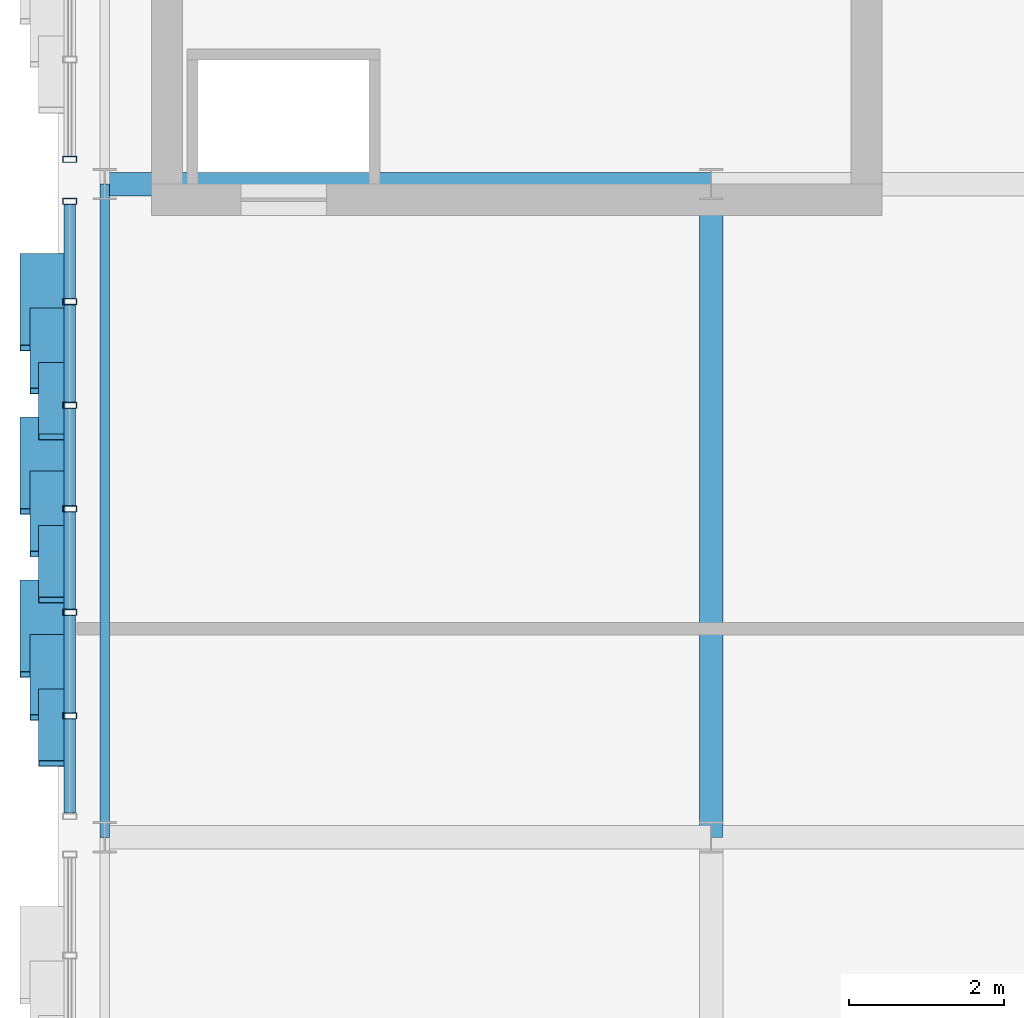
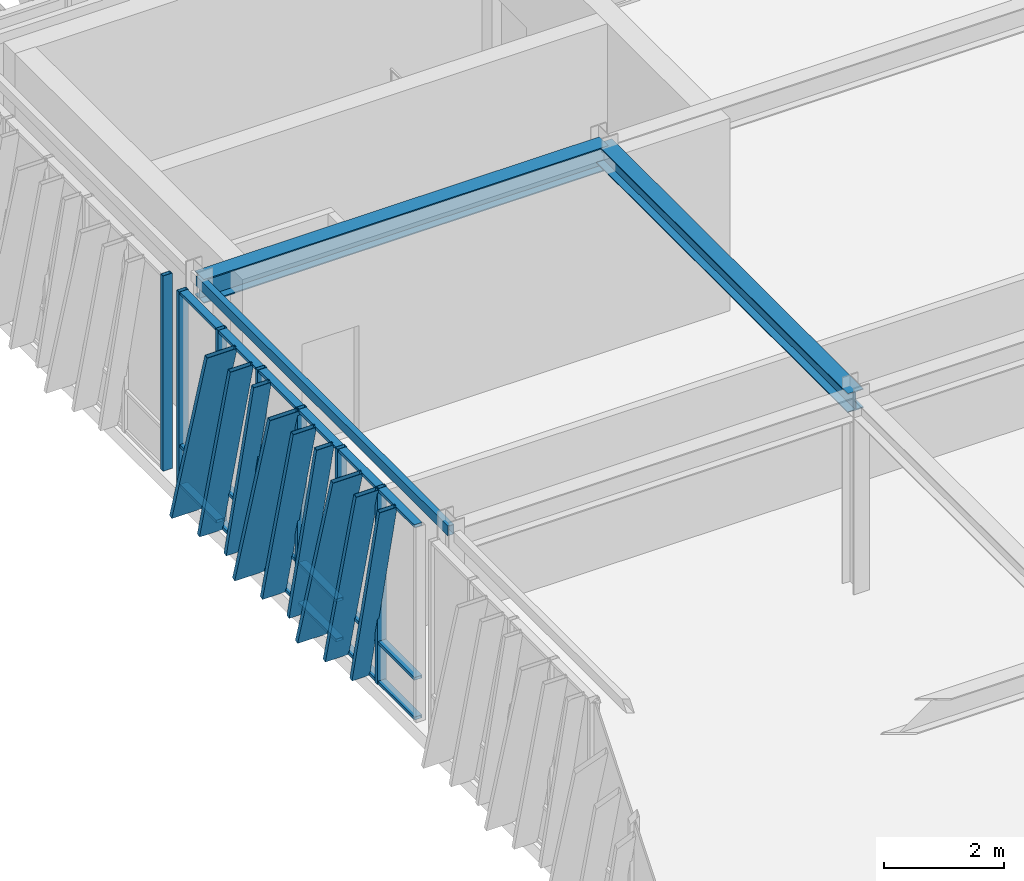
# One storey, part 40 of 123: 34 members, 3 beams, 2 elements without a shape of their own.
"""IFC4 building model written with IfcOpenShell, lengths in metres."""

from ifc_helpers import new_model, si_unit, direction, frame, origin, origin_2d, place, context, subcontext, project, spatial, hollow_rectangle, i_section, extrude, material, layer, layer_set, material_profile, profile_set, type_object, element, aggregate, save


model = new_model("IFC4")

# Units and contexts
model_context = context("Model", 3, precision=1e-05, world=origin(), true_north=direction((0.0, 1.0)))
body_context = subcontext(model_context, "Body", "Model", "MODEL_VIEW")
ifc_project = project(units=[si_unit("LENGTHUNIT", "METRE"), si_unit("AREAUNIT", "SQUARE_METRE"), si_unit("VOLUMEUNIT", "CUBIC_METRE"), si_unit("PLANEANGLEUNIT", "RADIAN"), si_unit("MASSUNIT", "GRAM", prefix="KILO")], contexts=[model_context])

# Site, building, storey
site_placement = place(None, origin())
site = spatial("IfcSite", under=ifc_project, at=site_placement, CompositionType="ELEMENT")
building_placement = place(site_placement, origin())
building = spatial("IfcBuilding", under=site, at=building_placement, Name="Zayran Congress Hotel", CompositionType="ELEMENT")
storey_placement = place(building_placement, frame((0.0, 0.0, 15.0)))
storey = spatial("IfcBuildingStorey", under=building, at=storey_placement, Name="L03", CompositionType="ELEMENT", Elevation=15.0)

# Beams
ifc_material_1 = material(Name="Steel S355", Category="steel")
ifc_material_profile_1 = material_profile(ifc_material_1, i_section(OverallWidth=0.300048828125, OverallDepth=0.489990234375, WebThickness=0.011962890625, FlangeThickness=0.02294921875, at=origin_2d()), Name="HEA 500")
ifc_profile_set_1 = profile_set([ifc_material_profile_1], Name="Steel S355")
beam_type_1 = type_object("IfcBeamType", Name="TP-BM-05", PredefinedType="BEAM", material=ifc_profile_set_1)
beam_1_placement = place(storey_placement, frame((9.0, 109.60009765625, 3.735107421875), z_axis=(1.0, 0.0, 0.0), x_axis=(0.0, 1.0, 0.0)))
element("IfcBeam", 1, at=beam_1_placement, inside=storey, type_object=beam_type_1, Name="BM-V1-L03-0829", PredefinedType="BEAM", context=body_context, shape_type="SweptSolid", body=[
    extrude(i_section(OverallWidth=0.300048828125, OverallDepth=0.489990234375, WebThickness=0.011962890625, FlangeThickness=0.02294921875, at=origin_2d()), origin(), (0.0, 0.0, 1.0), 7.800048828125),
])
ifc_material_profile_2 = material_profile(ifc_material_1, i_section(OverallWidth=0.300048828125, OverallDepth=0.389892578125, WebThickness=0.010986328125, FlangeThickness=0.01904296875, at=origin_2d()), Name="HEA 400")
ifc_profile_set_2 = profile_set([ifc_material_profile_2], Name="Steel S355")
beam_type_2 = type_object("IfcBeamType", Name="TP-BM-06", PredefinedType="BEAM", material=ifc_profile_set_2)
beam_2_placement = place(storey_placement, frame((16.800048828125, 101.199951171875, 3.784912109375), z_axis=(0.0, 1.0, 0.0), x_axis=(-1.0, 0.0, 0.0)))
element("IfcBeam", 2, at=beam_2_placement, inside=storey, type_object=beam_type_2, Name="BM-V1-L03-0858", PredefinedType="BEAM", context=body_context, shape_type="SweptSolid", body=[
    extrude(i_section(OverallWidth=0.300048828125, OverallDepth=0.389892578125, WebThickness=0.010986328125, FlangeThickness=0.01904296875, at=origin_2d()), origin(), (0.0, 0.0, 1.0), 8.400146484375),
])
ifc_material_profile_3 = material_profile(ifc_material_1, hollow_rectangle(XDim=0.1201171875, YDim=0.199951171875, WallThickness=0.008056640625, at=origin_2d()), Name="RHS 200x120x8")
ifc_profile_set_3 = profile_set([ifc_material_profile_3], Name="Steel S355")
beam_type_3 = type_object("IfcBeamType", Name="TP-SP-02", PredefinedType="SPANDREL", material=ifc_profile_set_3)
beam_3_placement = place(storey_placement, frame((9.0, 101.199951171875, 3.8798828125), z_axis=(0.0, 1.0, 0.0), x_axis=(-1.0, 0.0, 0.0)))
element("IfcBeam", 3, at=beam_3_placement, inside=storey, type_object=beam_type_3, Name="BM-V1-L03-0853", PredefinedType="SPANDREL", context=body_context, shape_type="SweptSolid", body=[
    extrude(hollow_rectangle(XDim=0.1201171875, YDim=0.199951171875, WallThickness=0.008056640625, at=origin_2d()), origin(), (0.0, 0.0, 1.0), 8.400146484375),
])

# Curtain wall, members
ifc_material_2 = material(Name="Anodised aluminium and low-E insulated glass", Category="aluminium")
ifc_layer_1 = layer(ifc_material_2, 0.179931640625)
ifc_layer_set_1 = layer_set([ifc_layer_1], Name="Anodised aluminium and low-E insulated glass")
curtain_wall_type_1 = type_object("IfcCurtainWallType", Name="CW-V1W-L03-CW-31-7990-3980", PredefinedType="USERDEFINED", material=ifc_layer_set_1)
curtain_wall_1_placement = place(storey_placement, origin())
curtain_wall_1 = element("IfcCurtainWall", 4, at=curtain_wall_1_placement, inside=storey, type_object=curtain_wall_type_1, Name="CW-V1W-L03-4", ObjectType="CURTAIN WALL", PredefinedType="USERDEFINED")
ifc_material_3 = material(Name="Anodised aluminium framing", Category="aluminium")
ifc_material_profile_4 = material_profile(ifc_material_3, hollow_rectangle(XDim=0.080078125, YDim=0.179931640625, WallThickness=0.0048828125, at=origin_2d()), Name="RHS 180x80x5")
ifc_profile_set_4 = profile_set([ifc_material_profile_4], Name="Anodised aluminium framing")
member_type_1 = type_object("IfcMemberType", Name="TP-CWM-01", PredefinedType="MULLION", material=ifc_profile_set_4)
member_1_placement = place(storey_placement, frame((8.550048828125, 109.3798828125, 0.0), z_axis=(0.0, 0.0, 1.0), x_axis=(0.0, 1.0, 0.0)))
member_1 = element("IfcMember", 5, at=member_1_placement, type_object=member_type_1, Name="CW-V1W-L03-4-M00", PredefinedType="MULLION", context=body_context, shape_type="SweptSolid", body=[
    extrude(hollow_rectangle(XDim=0.080078125, YDim=0.179931640625, WallThickness=0.0048828125, at=origin_2d()), origin(), (0.0, 0.0, 1.0), 3.97998046875),
])
member_2_placement = place(storey_placement, frame((8.550048828125, 108.08837890625, 0.0), z_axis=(0.0, 0.0, 1.0), x_axis=(0.0, 1.0, 0.0)))
member_2 = element("IfcMember", 6, at=member_2_placement, type_object=member_type_1, Name="CW-V1W-L03-4-M01", PredefinedType="MULLION", context=body_context, shape_type="SweptSolid", body=[
    extrude(hollow_rectangle(XDim=0.080078125, YDim=0.179931640625, WallThickness=0.0048828125, at=origin_2d()), origin(), (0.0, 0.0, 1.0), 3.97998046875),
])
member_3_placement = place(storey_placement, frame((8.550048828125, 106.756591796875, 0.0), z_axis=(0.0, 0.0, 1.0), x_axis=(0.0, 1.0, 0.0)))
member_3 = element("IfcMember", 7, at=member_3_placement, type_object=member_type_1, Name="CW-V1W-L03-4-M02", PredefinedType="MULLION", context=body_context, shape_type="SweptSolid", body=[
    extrude(hollow_rectangle(XDim=0.080078125, YDim=0.179931640625, WallThickness=0.0048828125, at=origin_2d()), origin(), (0.0, 0.0, 1.0), 3.97998046875),
])
member_4_placement = place(storey_placement, frame((8.550048828125, 105.425048828125, 0.0), z_axis=(0.0, 0.0, 1.0), x_axis=(0.0, 1.0, 0.0)))
member_4 = element("IfcMember", 8, at=member_4_placement, type_object=member_type_1, Name="CW-V1W-L03-4-M03", PredefinedType="MULLION", context=body_context, shape_type="SweptSolid", body=[
    extrude(hollow_rectangle(XDim=0.080078125, YDim=0.179931640625, WallThickness=0.0048828125, at=origin_2d()), origin(), (0.0, 0.0, 1.0), 3.97998046875),
])
member_5_placement = place(storey_placement, frame((8.550048828125, 104.09326171875, 0.0), z_axis=(0.0, 0.0, 1.0), x_axis=(0.0, 1.0, 0.0)))
member_5 = element("IfcMember", 9, at=member_5_placement, type_object=member_type_1, Name="CW-V1W-L03-4-M04", PredefinedType="MULLION", context=body_context, shape_type="SweptSolid", body=[
    extrude(hollow_rectangle(XDim=0.080078125, YDim=0.179931640625, WallThickness=0.0048828125, at=origin_2d()), origin(), (0.0, 0.0, 1.0), 3.97998046875),
])
member_6_placement = place(storey_placement, frame((8.550048828125, 102.76171875, 0.0), z_axis=(0.0, 0.0, 1.0), x_axis=(0.0, 1.0, 0.0)))
member_6 = element("IfcMember", 10, at=member_6_placement, type_object=member_type_1, Name="CW-V1W-L03-4-M05", PredefinedType="MULLION", context=body_context, shape_type="SweptSolid", body=[
    extrude(hollow_rectangle(XDim=0.080078125, YDim=0.179931640625, WallThickness=0.0048828125, at=origin_2d()), origin(), (0.0, 0.0, 1.0), 3.97998046875),
])

# Curtain wall, member
ifc_layer_2 = layer(ifc_material_2, 0.179931640625)
ifc_layer_set_2 = layer_set([ifc_layer_2], Name="Anodised aluminium and low-E insulated glass")
curtain_wall_type_2 = type_object("IfcCurtainWallType", Name="CW-V1W-L03-CW-32-7940-3980", PredefinedType="USERDEFINED", material=ifc_layer_set_2)
curtain_wall_2_placement = place(storey_placement, origin())
curtain_wall_2 = element("IfcCurtainWall", 11, at=curtain_wall_2_placement, inside=storey, type_object=curtain_wall_type_2, Name="CW-V1W-L03-5", ObjectType="CURTAIN WALL", PredefinedType="USERDEFINED")
member_7_placement = place(storey_placement, frame((8.550048828125, 109.919921875, 0.0), z_axis=(0.0, 0.0, 1.0), x_axis=(0.0, 1.0, 0.0)))
member_7 = element("IfcMember", 12, at=member_7_placement, type_object=member_type_1, Name="CW-V1W-L03-5-M06", PredefinedType="MULLION", context=body_context, shape_type="SweptSolid", body=[
    extrude(hollow_rectangle(XDim=0.080078125, YDim=0.179931640625, WallThickness=0.0048828125, at=origin_2d()), origin(), (0.0, 0.0, 1.0), 3.97998046875),
])
aggregate(curtain_wall_2, [member_7])

# Member
ifc_material_profile_5 = material_profile(ifc_material_3, hollow_rectangle(XDim=0.06005859375, YDim=0.14990234375, WallThickness=0.00390625, at=origin_2d()), Name="RHS 150x60x4")
ifc_profile_set_5 = profile_set([ifc_material_profile_5], Name="Anodised aluminium framing")
member_type_2 = type_object("IfcMemberType", Name="TP-CWT-01", PredefinedType="USERDEFINED", material=ifc_profile_set_5)
member_8_placement = place(storey_placement, frame((8.550048828125, 109.340087890625, 0.030029296875), z_axis=(0.0, -1.0, 0.0), x_axis=(0.0, 0.0, 1.0)))
member_8 = element("IfcMember", 13, at=member_8_placement, type_object=member_type_2, Name="CW-V1W-L03-4-T00-0", ObjectType="TRANSOM", PredefinedType="USERDEFINED", context=body_context, shape_type="SweptSolid", body=[
    extrude(hollow_rectangle(XDim=0.06005859375, YDim=0.14990234375, WallThickness=0.00390625, at=origin_2d()), origin(), (0.0, 0.0, 1.0), 1.211669921875),
])

member_9_placement = place(storey_placement, frame((8.550048828125, 109.340087890625, 0.840087890625), z_axis=(0.0, -1.0, 0.0), x_axis=(0.0, 0.0, 1.0)))
member_9 = element("IfcMember", 14, at=member_9_placement, type_object=member_type_2, Name="CW-V1W-L03-4-T00-1", ObjectType="TRANSOM", PredefinedType="USERDEFINED", context=body_context, shape_type="SweptSolid", body=[
    extrude(hollow_rectangle(XDim=0.06005859375, YDim=0.14990234375, WallThickness=0.00390625, at=origin_2d()), origin(), (0.0, 0.0, 1.0), 1.211669921875),
])

member_10_placement = place(storey_placement, frame((8.550048828125, 109.340087890625, 3.949951171875), z_axis=(0.0, -1.0, 0.0), x_axis=(0.0, 0.0, 1.0)))
member_10 = element("IfcMember", 15, at=member_10_placement, type_object=member_type_2, Name="CW-V1W-L03-4-T00-2", ObjectType="TRANSOM", PredefinedType="USERDEFINED", context=body_context, shape_type="SweptSolid", body=[
    extrude(hollow_rectangle(XDim=0.06005859375, YDim=0.14990234375, WallThickness=0.00390625, at=origin_2d()), origin(), (0.0, 0.0, 1.0), 1.211669921875),
])

member_11_placement = place(storey_placement, frame((8.550048828125, 108.04833984375, 0.030029296875), z_axis=(0.0, -1.0, 0.0), x_axis=(0.0, 0.0, 1.0)))
member_11 = element("IfcMember", 16, at=member_11_placement, type_object=member_type_2, Name="CW-V1W-L03-4-T01-0", ObjectType="TRANSOM", PredefinedType="USERDEFINED", context=body_context, shape_type="SweptSolid", body=[
    extrude(hollow_rectangle(XDim=0.06005859375, YDim=0.14990234375, WallThickness=0.00390625, at=origin_2d()), origin(), (0.0, 0.0, 1.0), 1.251708984375),
])

member_12_placement = place(storey_placement, frame((8.550048828125, 108.04833984375, 0.840087890625), z_axis=(0.0, -1.0, 0.0), x_axis=(0.0, 0.0, 1.0)))
member_12 = element("IfcMember", 17, at=member_12_placement, type_object=member_type_2, Name="CW-V1W-L03-4-T01-1", ObjectType="TRANSOM", PredefinedType="USERDEFINED", context=body_context, shape_type="SweptSolid", body=[
    extrude(hollow_rectangle(XDim=0.06005859375, YDim=0.14990234375, WallThickness=0.00390625, at=origin_2d()), origin(), (0.0, 0.0, 1.0), 1.251708984375),
])

member_13_placement = place(storey_placement, frame((8.550048828125, 108.04833984375, 3.949951171875), z_axis=(0.0, -1.0, 0.0), x_axis=(0.0, 0.0, 1.0)))
member_13 = element("IfcMember", 18, at=member_13_placement, type_object=member_type_2, Name="CW-V1W-L03-4-T01-2", ObjectType="TRANSOM", PredefinedType="USERDEFINED", context=body_context, shape_type="SweptSolid", body=[
    extrude(hollow_rectangle(XDim=0.06005859375, YDim=0.14990234375, WallThickness=0.00390625, at=origin_2d()), origin(), (0.0, 0.0, 1.0), 1.251708984375),
])

member_14_placement = place(storey_placement, frame((8.550048828125, 106.716796875, 0.030029296875), z_axis=(0.0, -1.0, 0.0), x_axis=(0.0, 0.0, 1.0)))
member_14 = element("IfcMember", 19, at=member_14_placement, type_object=member_type_2, Name="CW-V1W-L03-4-T02-0", ObjectType="TRANSOM", PredefinedType="USERDEFINED", context=body_context, shape_type="SweptSolid", body=[
    extrude(hollow_rectangle(XDim=0.06005859375, YDim=0.14990234375, WallThickness=0.00390625, at=origin_2d()), origin(), (0.0, 0.0, 1.0), 1.251708984375),
])

member_15_placement = place(storey_placement, frame((8.550048828125, 106.716796875, 0.840087890625), z_axis=(0.0, -1.0, 0.0), x_axis=(0.0, 0.0, 1.0)))
member_15 = element("IfcMember", 20, at=member_15_placement, type_object=member_type_2, Name="CW-V1W-L03-4-T02-1", ObjectType="TRANSOM", PredefinedType="USERDEFINED", context=body_context, shape_type="SweptSolid", body=[
    extrude(hollow_rectangle(XDim=0.06005859375, YDim=0.14990234375, WallThickness=0.00390625, at=origin_2d()), origin(), (0.0, 0.0, 1.0), 1.251708984375),
])

member_16_placement = place(storey_placement, frame((8.550048828125, 106.716796875, 3.949951171875), z_axis=(0.0, -1.0, 0.0), x_axis=(0.0, 0.0, 1.0)))
member_16 = element("IfcMember", 21, at=member_16_placement, type_object=member_type_2, Name="CW-V1W-L03-4-T02-2", ObjectType="TRANSOM", PredefinedType="USERDEFINED", context=body_context, shape_type="SweptSolid", body=[
    extrude(hollow_rectangle(XDim=0.06005859375, YDim=0.14990234375, WallThickness=0.00390625, at=origin_2d()), origin(), (0.0, 0.0, 1.0), 1.251708984375),
])

member_17_placement = place(storey_placement, frame((8.550048828125, 105.385009765625, 0.030029296875), z_axis=(0.0, -1.0, 0.0), x_axis=(0.0, 0.0, 1.0)))
member_17 = element("IfcMember", 22, at=member_17_placement, type_object=member_type_2, Name="CW-V1W-L03-4-T03-0", ObjectType="TRANSOM", PredefinedType="USERDEFINED", context=body_context, shape_type="SweptSolid", body=[
    extrude(hollow_rectangle(XDim=0.06005859375, YDim=0.14990234375, WallThickness=0.00390625, at=origin_2d()), origin(), (0.0, 0.0, 1.0), 1.251708984375),
])

member_18_placement = place(storey_placement, frame((8.550048828125, 105.385009765625, 0.840087890625), z_axis=(0.0, -1.0, 0.0), x_axis=(0.0, 0.0, 1.0)))
member_18 = element("IfcMember", 23, at=member_18_placement, type_object=member_type_2, Name="CW-V1W-L03-4-T03-1", ObjectType="TRANSOM", PredefinedType="USERDEFINED", context=body_context, shape_type="SweptSolid", body=[
    extrude(hollow_rectangle(XDim=0.06005859375, YDim=0.14990234375, WallThickness=0.00390625, at=origin_2d()), origin(), (0.0, 0.0, 1.0), 1.251708984375),
])

member_19_placement = place(storey_placement, frame((8.550048828125, 105.385009765625, 3.949951171875), z_axis=(0.0, -1.0, 0.0), x_axis=(0.0, 0.0, 1.0)))
member_19 = element("IfcMember", 24, at=member_19_placement, type_object=member_type_2, Name="CW-V1W-L03-4-T03-2", ObjectType="TRANSOM", PredefinedType="USERDEFINED", context=body_context, shape_type="SweptSolid", body=[
    extrude(hollow_rectangle(XDim=0.06005859375, YDim=0.14990234375, WallThickness=0.00390625, at=origin_2d()), origin(), (0.0, 0.0, 1.0), 1.251708984375),
])

member_20_placement = place(storey_placement, frame((8.550048828125, 104.05322265625, 0.030029296875), z_axis=(0.0, -1.0, 0.0), x_axis=(0.0, 0.0, 1.0)))
member_20 = element("IfcMember", 25, at=member_20_placement, type_object=member_type_2, Name="CW-V1W-L03-4-T04-0", ObjectType="TRANSOM", PredefinedType="USERDEFINED", context=body_context, shape_type="SweptSolid", body=[
    extrude(hollow_rectangle(XDim=0.06005859375, YDim=0.14990234375, WallThickness=0.00390625, at=origin_2d()), origin(), (0.0, 0.0, 1.0), 1.25146484375),
])

member_21_placement = place(storey_placement, frame((8.550048828125, 104.05322265625, 0.840087890625), z_axis=(0.0, -1.0, 0.0), x_axis=(0.0, 0.0, 1.0)))
member_21 = element("IfcMember", 26, at=member_21_placement, type_object=member_type_2, Name="CW-V1W-L03-4-T04-1", ObjectType="TRANSOM", PredefinedType="USERDEFINED", context=body_context, shape_type="SweptSolid", body=[
    extrude(hollow_rectangle(XDim=0.06005859375, YDim=0.14990234375, WallThickness=0.00390625, at=origin_2d()), origin(), (0.0, 0.0, 1.0), 1.25146484375),
])

member_22_placement = place(storey_placement, frame((8.550048828125, 104.05322265625, 3.949951171875), z_axis=(0.0, -1.0, 0.0), x_axis=(0.0, 0.0, 1.0)))
member_22 = element("IfcMember", 27, at=member_22_placement, type_object=member_type_2, Name="CW-V1W-L03-4-T04-2", ObjectType="TRANSOM", PredefinedType="USERDEFINED", context=body_context, shape_type="SweptSolid", body=[
    extrude(hollow_rectangle(XDim=0.06005859375, YDim=0.14990234375, WallThickness=0.00390625, at=origin_2d()), origin(), (0.0, 0.0, 1.0), 1.25146484375),
])

member_23_placement = place(storey_placement, frame((8.550048828125, 102.7216796875, 0.030029296875), z_axis=(0.0, -1.0, 0.0), x_axis=(0.0, 0.0, 1.0)))
member_23 = element("IfcMember", 28, at=member_23_placement, type_object=member_type_2, Name="CW-V1W-L03-4-T05-0", ObjectType="TRANSOM", PredefinedType="USERDEFINED", context=body_context, shape_type="SweptSolid", body=[
    extrude(hollow_rectangle(XDim=0.06005859375, YDim=0.14990234375, WallThickness=0.00390625, at=origin_2d()), origin(), (0.0, 0.0, 1.0), 1.211669921875),
])

member_24_placement = place(storey_placement, frame((8.550048828125, 102.7216796875, 0.840087890625), z_axis=(0.0, -1.0, 0.0), x_axis=(0.0, 0.0, 1.0)))
member_24 = element("IfcMember", 29, at=member_24_placement, type_object=member_type_2, Name="CW-V1W-L03-4-T05-1", ObjectType="TRANSOM", PredefinedType="USERDEFINED", context=body_context, shape_type="SweptSolid", body=[
    extrude(hollow_rectangle(XDim=0.06005859375, YDim=0.14990234375, WallThickness=0.00390625, at=origin_2d()), origin(), (0.0, 0.0, 1.0), 1.211669921875),
])

member_25_placement = place(storey_placement, frame((8.550048828125, 102.7216796875, 3.949951171875), z_axis=(0.0, -1.0, 0.0), x_axis=(0.0, 0.0, 1.0)))
member_25 = element("IfcMember", 30, at=member_25_placement, type_object=member_type_2, Name="CW-V1W-L03-4-T05-2", ObjectType="TRANSOM", PredefinedType="USERDEFINED", context=body_context, shape_type="SweptSolid", body=[
    extrude(hollow_rectangle(XDim=0.06005859375, YDim=0.14990234375, WallThickness=0.00390625, at=origin_2d()), origin(), (0.0, 0.0, 1.0), 1.211669921875),
])

ifc_material_4 = material(Name="Warm bronze anodised aluminium", Category="aluminium")
ifc_material_profile_6 = material_profile(ifc_material_4, hollow_rectangle(XDim=0.080078125, YDim=0.580078125, WallThickness=0.006103515625, at=origin_2d()), Name="RHS 580x80x6")
ifc_profile_set_6 = profile_set([ifc_material_profile_6], Name="Warm bronze anodised aluminium")
member_type_3 = type_object("IfcMemberType", Name="TP-RFN-01", PredefinedType="MULLION", material=ifc_profile_set_6)
member_26_placement = place(storey_placement, frame((8.199951171875, 108.669921875, 0.0), z_axis=(0.0, -0.283968171801, 0.958833706856), x_axis=(0.0, 0.958833706856, 0.283968171801)))
member_26 = element("IfcMember", 31, at=member_26_placement, type_object=member_type_3, Name="Slanting Reed Mullion CW-31-01", PredefinedType="MULLION", context=body_context, shape_type="SweptSolid", body=[
    extrude(hollow_rectangle(XDim=0.080078125, YDim=0.580078125, WallThickness=0.006103515625, at=origin_2d()), origin(), (0.0, 0.0, 1.0), 4.15087890625),
])

member_27_placement = place(storey_placement, frame((8.199951171875, 106.570068359375, 0.0), z_axis=(0.0, -0.284022244508, 0.958817691026), x_axis=(0.0, 0.958817691026, 0.284022244508)))
member_27 = element("IfcMember", 32, at=member_27_placement, type_object=member_type_3, Name="Slanting Reed Mullion CW-31-04", PredefinedType="MULLION", context=body_context, shape_type="SweptSolid", body=[
    extrude(hollow_rectangle(XDim=0.080078125, YDim=0.580078125, WallThickness=0.006103515625, at=origin_2d()), origin(), (0.0, 0.0, 1.0), 4.15087890625),
])

member_28_placement = place(storey_placement, frame((8.199951171875, 104.469970703125, 0.0), z_axis=(0.0, -0.284022244508, 0.958817691026), x_axis=(0.0, 0.958817691026, 0.284022244508)))
member_28 = element("IfcMember", 33, at=member_28_placement, type_object=member_type_3, Name="Slanting Reed Mullion CW-31-07", PredefinedType="MULLION", context=body_context, shape_type="SweptSolid", body=[
    extrude(hollow_rectangle(XDim=0.080078125, YDim=0.580078125, WallThickness=0.006103515625, at=origin_2d()), origin(), (0.0, 0.0, 1.0), 4.15087890625),
])

ifc_material_profile_7 = material_profile(ifc_material_4, hollow_rectangle(XDim=0.080078125, YDim=0.449951171875, WallThickness=0.006103515625, at=origin_2d()), Name="RHS 450x80x6")
ifc_profile_set_7 = profile_set([ifc_material_profile_7], Name="Warm bronze anodised aluminium")
member_type_4 = type_object("IfcMemberType", Name="TP-RFN-02", PredefinedType="MULLION", material=ifc_profile_set_7)
member_29_placement = place(storey_placement, frame((8.264892578125, 107.969970703125, 0.0), z_axis=(0.0, -0.250380902481, 0.968147408029), x_axis=(0.0, 0.968147408029, 0.250380902481)))
member_29 = element("IfcMember", 34, at=member_29_placement, type_object=member_type_4, Name="Slanting Reed Mullion CW-31-02", PredefinedType="MULLION", context=body_context, shape_type="SweptSolid", body=[
    extrude(hollow_rectangle(XDim=0.080078125, YDim=0.449951171875, WallThickness=0.006103515625, at=origin_2d()), origin(), (0.0, 0.0, 1.0), 4.11083984375),
])

member_30_placement = place(storey_placement, frame((8.264892578125, 105.8701171875, 0.0), z_axis=(0.0, -0.250380902481, 0.968147408029), x_axis=(0.0, 0.968147408029, 0.250380902481)))
member_30 = element("IfcMember", 35, at=member_30_placement, type_object=member_type_4, Name="Slanting Reed Mullion CW-31-05", PredefinedType="MULLION", context=body_context, shape_type="SweptSolid", body=[
    extrude(hollow_rectangle(XDim=0.080078125, YDim=0.449951171875, WallThickness=0.006103515625, at=origin_2d()), origin(), (0.0, 0.0, 1.0), 4.11083984375),
])

member_31_placement = place(storey_placement, frame((8.264892578125, 103.77001953125, 0.0), z_axis=(0.0, -0.250380902481, 0.968147408029), x_axis=(0.0, 0.968147408029, 0.250380902481)))
member_31 = element("IfcMember", 36, at=member_31_placement, type_object=member_type_4, Name="Slanting Reed Mullion CW-31-08", PredefinedType="MULLION", context=body_context, shape_type="SweptSolid", body=[
    extrude(hollow_rectangle(XDim=0.080078125, YDim=0.449951171875, WallThickness=0.006103515625, at=origin_2d()), origin(), (0.0, 0.0, 1.0), 4.11083984375),
])

ifc_material_profile_8 = material_profile(ifc_material_4, hollow_rectangle(XDim=0.080078125, YDim=0.340087890625, WallThickness=0.006103515625, at=origin_2d()), Name="RHS 340x80x6")
ifc_profile_set_8 = profile_set([ifc_material_profile_8], Name="Warm bronze anodised aluminium")
member_type_5 = type_object("IfcMemberType", Name="TP-RFN-03", PredefinedType="MULLION", material=ifc_profile_set_8)
member_32_placement = place(storey_placement, frame((8.320068359375, 107.27001953125, 0.0), z_axis=(0.0, -0.224973000371, 0.974364997885), x_axis=(0.0, 0.974364997885, 0.224973000371)))
member_32 = element("IfcMember", 37, at=member_32_placement, type_object=member_type_5, Name="Slanting Reed Mullion CW-31-03", PredefinedType="MULLION", context=body_context, shape_type="SweptSolid", body=[
    extrude(hollow_rectangle(XDim=0.080078125, YDim=0.340087890625, WallThickness=0.006103515625, at=origin_2d()), origin(), (0.0, 0.0, 1.0), 4.084716796875),
])

member_33_placement = place(storey_placement, frame((8.320068359375, 105.169921875, 0.0), z_axis=(0.0, -0.224916254679, 0.974378098266), x_axis=(0.0, 0.974378098266, 0.224916254679)))
member_33 = element("IfcMember", 38, at=member_33_placement, type_object=member_type_5, Name="Slanting Reed Mullion CW-31-06", PredefinedType="MULLION", context=body_context, shape_type="SweptSolid", body=[
    extrude(hollow_rectangle(XDim=0.080078125, YDim=0.340087890625, WallThickness=0.006103515625, at=origin_2d()), origin(), (0.0, 0.0, 1.0), 4.084716796875),
])

member_34_placement = place(storey_placement, frame((8.320068359375, 103.070068359375, 0.0), z_axis=(0.0, -0.224973000371, 0.974364997885), x_axis=(0.0, 0.974364997885, 0.224973000371)))
member_34 = element("IfcMember", 39, at=member_34_placement, type_object=member_type_5, Name="Slanting Reed Mullion CW-31-09", PredefinedType="MULLION", context=body_context, shape_type="SweptSolid", body=[
    extrude(hollow_rectangle(XDim=0.080078125, YDim=0.340087890625, WallThickness=0.006103515625, at=origin_2d()), origin(), (0.0, 0.0, 1.0), 4.084716796875),
])

aggregate(curtain_wall_1, [member_1, member_2, member_3, member_4, member_5, member_6, member_8, member_9, member_10, member_11, member_12, member_13, member_14, member_15, member_16, member_17, member_18, member_19, member_20, member_21, member_22, member_23, member_24, member_25, member_26, member_29, member_32, member_27, member_30, member_33, member_28, member_31, member_34])

save(model, "model.ifc")
